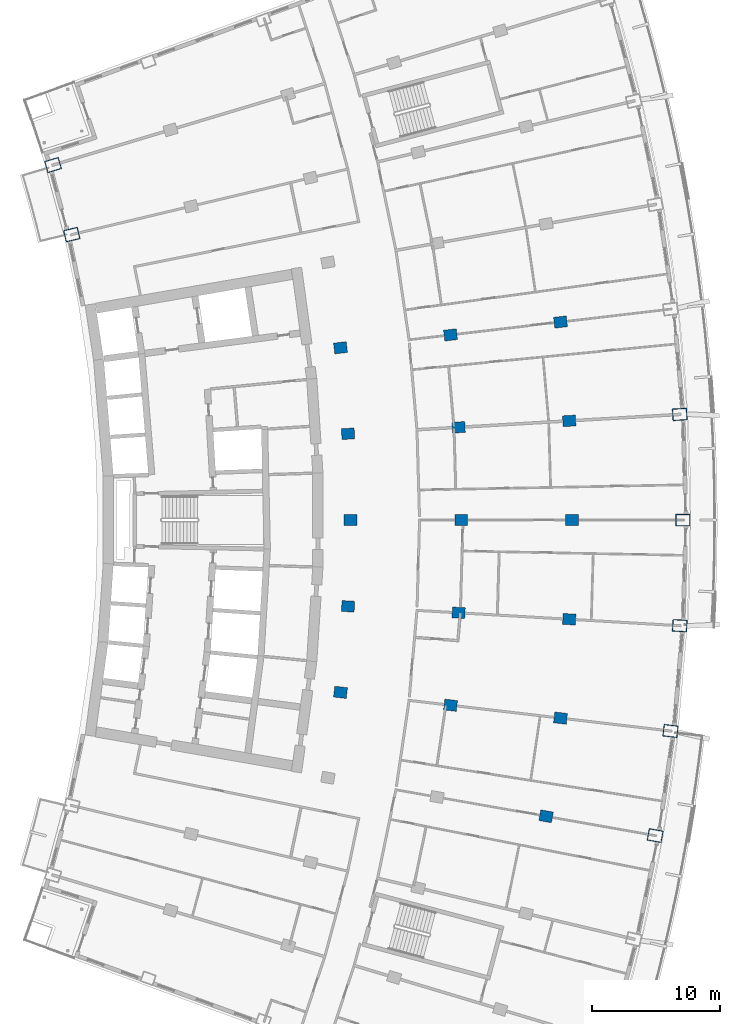
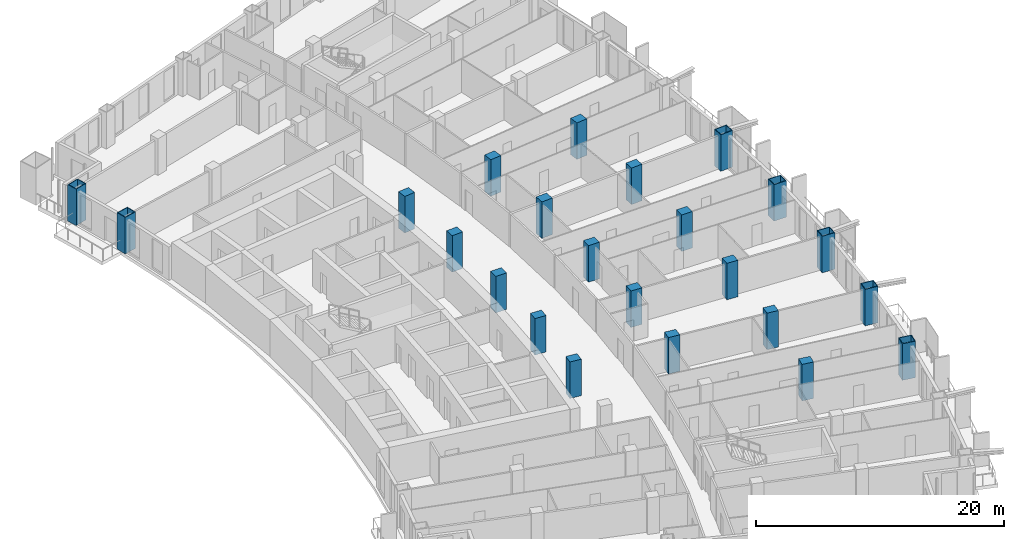
# One storey, part 6 of 25: 23 columns.
"""IFC4 building model written with IfcOpenShell, lengths in metres."""

from ifc_helpers import new_model, si_unit, direction, frame, origin, origin_2d, place, context, subcontext, project, spatial, rectangle, hollow_rectangle, extrude, material, material_profile, profile_set, type_object, element, save


model = new_model("IFC4")

# Units and contexts
model_context = context("Model", 3, precision=1e-05, world=origin(), true_north=direction((0.0, 1.0)))
body_context = subcontext(model_context, "Body", "Model", "MODEL_VIEW")
ifc_project = project(units=[si_unit("LENGTHUNIT", "METRE"), si_unit("AREAUNIT", "SQUARE_METRE"), si_unit("VOLUMEUNIT", "CUBIC_METRE"), si_unit("PLANEANGLEUNIT", "RADIAN"), si_unit("MASSUNIT", "GRAM", prefix="KILO")], contexts=[model_context])

# Site, building, storey
site_placement = place(None, origin())
site = spatial("IfcSite", under=ifc_project, at=site_placement, CompositionType="ELEMENT")
building_placement = place(site_placement, origin())
building = spatial("IfcBuilding", under=site, at=building_placement, Name="Alderwake Tower", CompositionType="ELEMENT")
storey_placement = place(building_placement, frame((0.0, 0.0, 86.0)))
storey = spatial("IfcBuildingStorey", under=building, at=storey_placement, Name="L20", CompositionType="ELEMENT", Elevation=86.0)

# Columns
ifc_material_1 = material(Name="Concrete C70/85", Category="concrete")
ifc_material_profile_1 = material_profile(ifc_material_1, rectangle(XDim=0.85009765625, YDim=1.0, at=origin_2d()), Name="RC 1000X850")
ifc_profile_set_1 = profile_set([ifc_material_profile_1], Name="Concrete C70/85")
column_type_1 = type_object("IfcColumnType", Name="Interior column Z2", PredefinedType="COLUMN", material=ifc_profile_set_1)
for number, where, z_axis, x_axis, name in (
    (1, (51.099853515625, 37.8203125, 0.0), (0.0, 0.0, 1.0), (0.174108800747, 0.984726421654, 0.0), "Column R04-C4"),
    (2, (35.0126953125, 47.5205078125, 0.0), (0.0, 0.0, 1.0), (0.116402054316, 0.993202175668, 0.0), "Column R05-C2"),
    (3, (43.62060546875, 46.51171875, 0.0), (0.0, 0.0, 1.0), (0.116402054316, 0.993202175668, 0.0), "Column R05-C3"),
    (4, (52.228271484375, 45.5029296875, 0.0), (0.0, 0.0, 1.0), (0.116402054316, 0.993202175668, 0.0), "Column R05-C4"),
    (5, (35.60302734375, 54.248779296875, 0.0), (0.0, 0.0, 1.0), (0.058301061284, 0.998299046505, 0.0), "Column R06-C2"),
    (6, (44.2548828125, 53.74365234375, 0.0), (0.0, 0.0, 1.0), (0.058299318924, 0.998299148258, 0.0), "Column R06-C3"),
    (7, (52.906982421875, 53.23828125, 0.0), (0.0, 0.0, 1.0), (0.058301061284, 0.998299046505, 0.0), "Column R06-C4"),
    (8, (35.800048828125, 61.0, 0.0), (0.0, 0.0, 1.0), (0.0, 1.0, 0.0), "Column R07-C2"),
    (9, (44.466796875, 61.0, 0.0), (0.0, 0.0, 1.0), (0.0, 1.0, 0.0), "Column R07-C3"),
    (10, (53.13330078125, 61.0, 0.0), (0.0, 0.0, 1.0), (0.0, 1.0, 0.0), "Column R07-C4"),
    (11, (35.60302734375, 67.751220703125, 0.0), (0.0, 0.0, 1.0), (-0.058301061284, 0.998299046505, 0.0), "Column R08-C2"),
    (12, (44.2548828125, 68.25634765625, 0.0), (0.0, 0.0, 1.0), (-0.058299318924, 0.998299148258, 0.0), "Column R08-C3"),
    (13, (52.906982421875, 68.76171875, 0.0), (0.0, 0.0, 1.0), (-0.058301061284, 0.998299046505, 0.0), "Column R08-C4"),
    (14, (35.0126953125, 74.4794921875, 0.0), (0.0, 0.0, 1.0), (-0.116402054316, 0.993202175668, 0.0), "Column R09-C2"),
    (15, (43.62060546875, 75.48828125, 0.0), (0.0, 0.0, 1.0), (-0.116402054316, 0.993202175668, 0.0), "Column R09-C3"),
    (16, (52.228271484375, 76.4970703125, 0.0), (0.0, 0.0, 1.0), (-0.116402054316, 0.993202175668, 0.0), "Column R09-C4"),
):
    element("IfcColumn", number, at=place(storey_placement, frame(where, z_axis=z_axis, x_axis=x_axis)), inside=storey, type_object=column_type_1, Name=name, PredefinedType="COLUMN", context=body_context, shape_type="SweptSolid", body=[
        extrude(rectangle(XDim=0.85009765625, YDim=1.0, at=origin_2d()), origin(), (0.0, 0.0, 1.0), 3.60009765625),
    ])
ifc_material_2 = material(Name="Steel ASTM A572 Grade 50 concrete filled C70/85", Category="concrete")
ifc_material_profile_2 = material_profile(ifc_material_2, hollow_rectangle(XDim=0.949951171875, YDim=1.14990234375, WallThickness=0.06005859375, at=origin_2d()), Name="BOX 1150X950X60")
ifc_profile_set_2 = profile_set([ifc_material_profile_2], Name="Steel ASTM A572 Grade 50 concrete filled C70/85")
column_type_2 = type_object("IfcColumnType", Name="Perimeter column Z2", PredefinedType="COLUMN", material=ifc_profile_set_2)
for number, where, z_axis, x_axis, name in (
    (17, (59.63427734375, 36.3115234375, 0.0), (0.0, 0.0, 1.0), (0.174107082075, 0.984726725529, 0.0), "Column R04-C5"),
    (18, (60.836181640625, 44.494140625, 0.0), (0.0, 0.0, 1.0), (0.116402054316, 0.993202175668, 0.0), "Column R05-C5"),
    (19, (61.558837890625, 52.73291015625, 0.0), (0.0, 0.0, 1.0), (0.058301061284, 0.998299046505, 0.0), "Column R06-C5"),
    (20, (61.800048828125, 61.0, 0.0), (0.0, 0.0, 1.0), (0.0, 1.0, 0.0), "Column R07-C5"),
    (21, (61.558837890625, 69.26708984375, 0.0), (0.0, 0.0, 1.0), (-0.058301061284, 0.998299046505, 0.0), "Column R08-C5"),
    (22, (13.982177734375, 83.3359375, 0.0), (0.0, 0.0, 1.0), (-0.231221547198, 0.972901123502, 0.0), "Column R11-C0"),
    (23, (12.520263671875, 88.777099609375, 0.0), (0.0, 0.0, 1.0), (-0.287549418125, 0.957765802342, 0.0), "Column R12-C0"),
):
    element("IfcColumn", number, at=place(storey_placement, frame(where, z_axis=z_axis, x_axis=x_axis)), inside=storey, type_object=column_type_2, Name=name, PredefinedType="COLUMN", context=body_context, shape_type="SweptSolid", body=[
        extrude(hollow_rectangle(XDim=0.949951171875, YDim=1.14990234375, WallThickness=0.06005859375, at=origin_2d()), origin(), (0.0, 0.0, 1.0), 3.60009765625),
    ])

save(model, "model.ifc")
